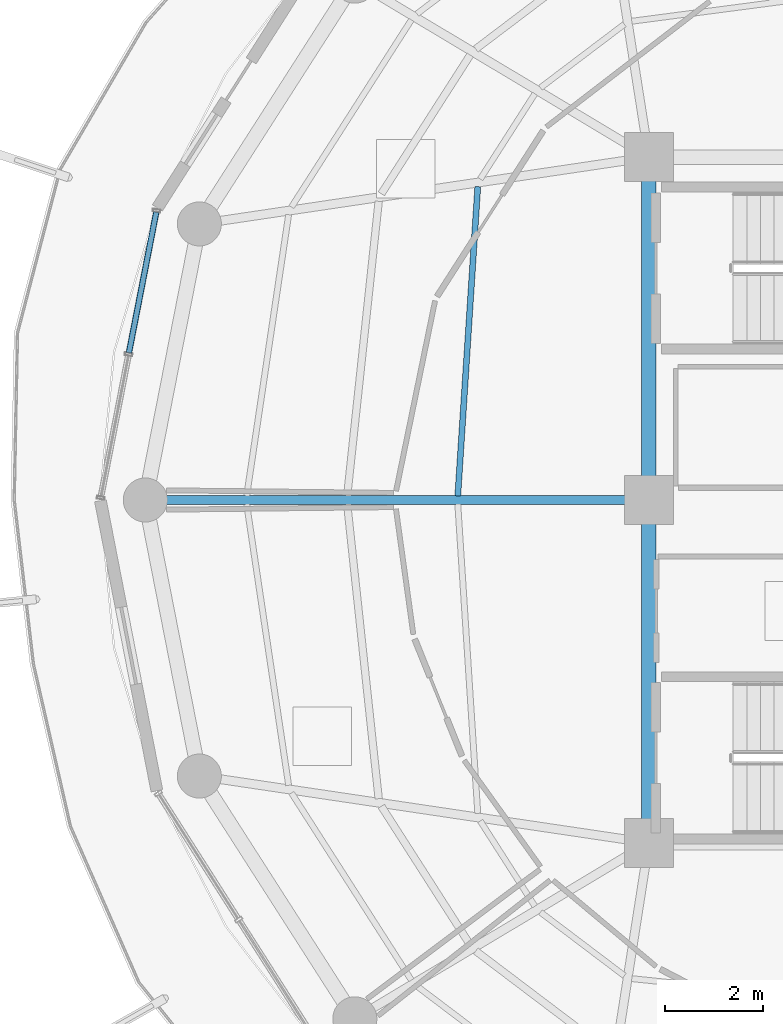
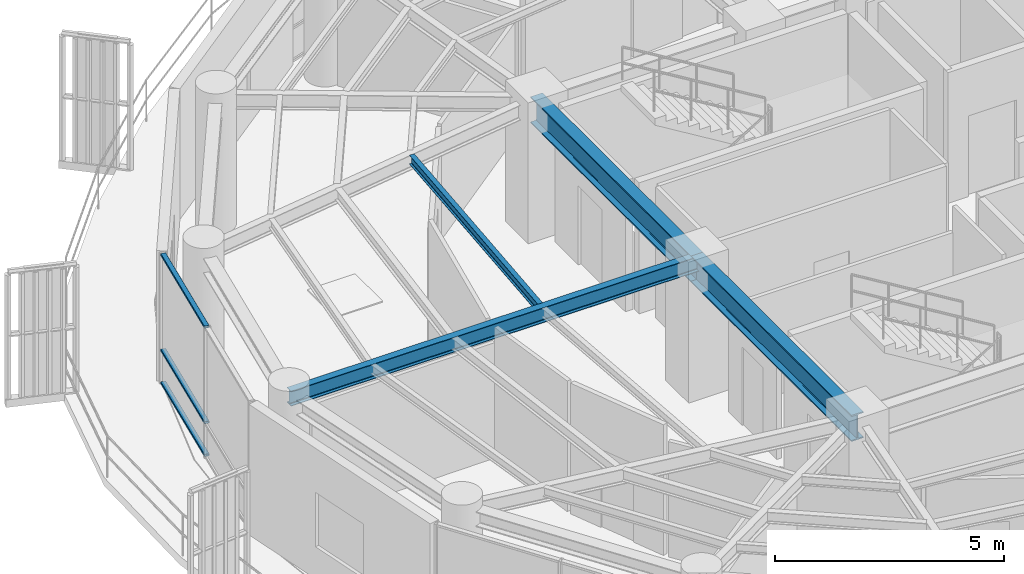
# One storey, part 6 of 22: 4 beams, 3 members, 1 element without a shape of its own.
"""IFC4 building model written with IfcOpenShell, lengths in metres."""

from ifc_helpers import new_model, si_unit, direction, frame, origin, origin_2d, place, context, subcontext, project, spatial, hollow_rectangle, i_section, extrude, material, layer, layer_set, material_profile, profile_set, type_object, element, aggregate, save


model = new_model("IFC4")

# Units and contexts
model_context = context("Model", 3, precision=1e-05, world=origin(), true_north=direction((0.0, 1.0)))
body_context = subcontext(model_context, "Body", "Model", "MODEL_VIEW")
ifc_project = project(units=[si_unit("LENGTHUNIT", "METRE"), si_unit("AREAUNIT", "SQUARE_METRE"), si_unit("VOLUMEUNIT", "CUBIC_METRE"), si_unit("PLANEANGLEUNIT", "RADIAN"), si_unit("MASSUNIT", "GRAM", prefix="KILO")], contexts=[model_context])

# Site, building, storey
site_placement = place(None, origin())
site = spatial("IfcSite", under=ifc_project, at=site_placement, CompositionType="ELEMENT")
building_placement = place(site_placement, origin())
building = spatial("IfcBuilding", under=site, at=building_placement, Name="Kelanora Arch Commons", CompositionType="ELEMENT")
storey_placement = place(building_placement, frame((0.0, 0.0, 259.949951171875)))
storey = spatial("IfcBuildingStorey", under=building, at=storey_placement, Name="L66", CompositionType="ELEMENT", Elevation=259.949951171875)

# Beams
ifc_material_1 = material(Name="Steel S355", Category="steel")
ifc_material_profile_1 = material_profile(ifc_material_1, i_section(OverallWidth=0.300048828125, OverallDepth=0.699951171875, WebThickness=0.01708984375, FlangeThickness=0.031982421875, FilletRadius=0.027099609375, at=origin_2d()), Name="HEB700")
ifc_profile_set_1 = profile_set([ifc_material_profile_1], Name="Steel S355")
beam_type_1 = type_object("IfcBeamType", Name="BM-CORE-HDR", PredefinedType="BEAM", material=ifc_profile_set_1)
for number, where, z_axis, x_axis, name in (
    (1, (66.0, 65.0, 3.14013671875), (0.0, -1.0, 0.0), (1.0, 0.0, 0.0), "Core Header Beam 08 L66"),
    (2, (66.0, 58.0, 3.14013671875), (0.0, -1.0, 0.0), (1.0, 0.0, 0.0), "Core Header Beam 09 L66"),
):
    element("IfcBeam", number, at=place(storey_placement, frame(where, z_axis=z_axis, x_axis=x_axis)), inside=storey, type_object=beam_type_1, Name=name, PredefinedType="BEAM", context=body_context, shape_type="SweptSolid", body=[
        extrude(i_section(OverallWidth=0.300048828125, OverallDepth=0.699951171875, WebThickness=0.01708984375, FlangeThickness=0.031982421875, FilletRadius=0.027099609375, at=origin_2d()), origin(), (0.0, 0.0, 1.0), 7.0),
    ])
ifc_material_profile_2 = material_profile(ifc_material_1, i_section(OverallWidth=0.1201171875, OverallDepth=0.239990234375, WebThickness=0.006103515625, FlangeThickness=0.009765625, FilletRadius=0.014892578125, at=origin_2d()), Name="IPE240")
ifc_profile_set_2 = profile_set([ifc_material_profile_2], Name="Steel S355")
beam_type_2 = type_object("IfcBeamType", Name="BM-JST-02", PredefinedType="JOIST", material=ifc_profile_set_2)
beam_1_placement = place(storey_placement, frame((62.507080078125, 64.39697265625, 3.3701171875), z_axis=(-0.064495107978, -0.99791802321, 0.0), x_axis=(0.99791802321, -0.064495107978, 0.0)))
element("IfcBeam", 3, at=beam_1_placement, inside=storey, type_object=beam_type_2, Name="Secondary Chord Joist BJA-16 L66", PredefinedType="JOIST", context=body_context, shape_type="SweptSolid", body=[
    extrude(i_section(OverallWidth=0.1201171875, OverallDepth=0.239990234375, WebThickness=0.006103515625, FlangeThickness=0.009765625, FilletRadius=0.014892578125, at=origin_2d()), origin(), (0.0, 0.0, 1.0), 6.325439453125),
])
ifc_material_profile_3 = material_profile(ifc_material_1, i_section(OverallWidth=0.179931640625, OverallDepth=0.39990234375, WebThickness=0.008544921875, FlangeThickness=0.013427734375, FilletRadius=0.02099609375, at=origin_2d()), Name="IPE400")
ifc_profile_set_3 = profile_set([ifc_material_profile_3], Name="Steel S355")
beam_type_3 = type_object("IfcBeamType", Name="BM-RAD-Z5", PredefinedType="BEAM", material=ifc_profile_set_3)
beam_2_placement = place(storey_placement, frame((66.0, 58.0, 3.2900390625), z_axis=(-1.0, 0.0, 0.0), x_axis=(0.0, -1.0, 0.0)))
element("IfcBeam", 4, at=beam_2_placement, inside=storey, type_object=beam_type_3, Name="Radial Floor Girder BR-18 L66", PredefinedType="BEAM", context=body_context, shape_type="SweptSolid", body=[
    extrude(i_section(OverallWidth=0.179931640625, OverallDepth=0.39990234375, WebThickness=0.008544921875, FlangeThickness=0.013427734375, FilletRadius=0.02099609375, at=origin_2d()), origin(), (0.0, 0.0, 1.0), 10.280029296875),
])

# Curtain wall, members
ifc_material_2 = material(Name="Terracotta ceramic-fritted low-E glass and aluminium", Category="masonry")
ifc_layer = layer(ifc_material_2, 0.18994140625)
ifc_layer_set = layer_set([ifc_layer], Name="Terracotta ceramic-fritted low-E glass and aluminium")
curtain_wall_type = type_object("IfcCurtainWallType", Name="CW-SYS-03", PredefinedType="NOTDEFINED", material=ifc_layer_set)
curtain_wall_placement = place(storey_placement, origin())
curtain_wall = element("IfcCurtainWall", 5, at=curtain_wall_placement, inside=storey, type_object=curtain_wall_type, Name="Unitised Curtain Wall L66-B08", PredefinedType="NOTDEFINED")
ifc_material_3 = material(Name="Powder-coated aluminium terracotta", Category="masonry")
ifc_material_profile_4 = material_profile(ifc_material_3, hollow_rectangle(XDim=0.1201171875, YDim=0.06005859375, WallThickness=0.0048828125, InnerFilletRadius=0.0048828125, OuterFilletRadius=0.010009765625, at=origin_2d()), Name="CWT120x60")
ifc_profile_set_4 = profile_set([ifc_material_profile_4], Name="Powder-coated aluminium terracotta")
member_type = type_object("IfcMemberType", Name="CWT-STD", PredefinedType="USERDEFINED", material=ifc_profile_set_4)
member_1_placement = place(storey_placement, frame((55.943603515625, 63.877685546875, 0.030029296875), z_axis=(-0.190963443354, -0.981597149192, 0.0), x_axis=(0.981597149192, -0.190963443354, 0.0)))
member_1 = element("IfcMember", 6, at=member_1_placement, type_object=member_type, Name="CW-03 transom 1.1", ObjectType="TRANSOM", PredefinedType="USERDEFINED", context=body_context, shape_type="SweptSolid", body=[
    extrude(hollow_rectangle(XDim=0.1201171875, YDim=0.06005859375, WallThickness=0.0048828125, InnerFilletRadius=0.0048828125, OuterFilletRadius=0.010009765625, at=origin_2d()), origin(), (0.0, 0.0, 1.0), 2.926513671875),
])
member_2_placement = place(storey_placement, frame((55.943603515625, 63.877685546875, 0.900146484375), z_axis=(-0.190963443354, -0.981597149192, 0.0), x_axis=(0.981597149192, -0.190963443354, 0.0)))
member_2 = element("IfcMember", 7, at=member_2_placement, type_object=member_type, Name="CW-03 transom 1.2", ObjectType="TRANSOM", PredefinedType="USERDEFINED", context=body_context, shape_type="SweptSolid", body=[
    extrude(hollow_rectangle(XDim=0.1201171875, YDim=0.06005859375, WallThickness=0.0048828125, InnerFilletRadius=0.0048828125, OuterFilletRadius=0.010009765625, at=origin_2d()), origin(), (0.0, 0.0, 1.0), 2.926513671875),
])
member_3_placement = place(storey_placement, frame((55.943603515625, 63.877685546875, 3.445068359375), z_axis=(-0.190963443354, -0.981597149192, 0.0), x_axis=(0.981597149192, -0.190963443354, 0.0)))
member_3 = element("IfcMember", 8, at=member_3_placement, type_object=member_type, Name="CW-03 transom 1.3", ObjectType="TRANSOM", PredefinedType="USERDEFINED", context=body_context, shape_type="SweptSolid", body=[
    extrude(hollow_rectangle(XDim=0.1201171875, YDim=0.06005859375, WallThickness=0.0048828125, InnerFilletRadius=0.0048828125, OuterFilletRadius=0.010009765625, at=origin_2d()), origin(), (0.0, 0.0, 1.0), 2.926513671875),
])
aggregate(curtain_wall, [member_1, member_2, member_3])

save(model, "model.ifc")
